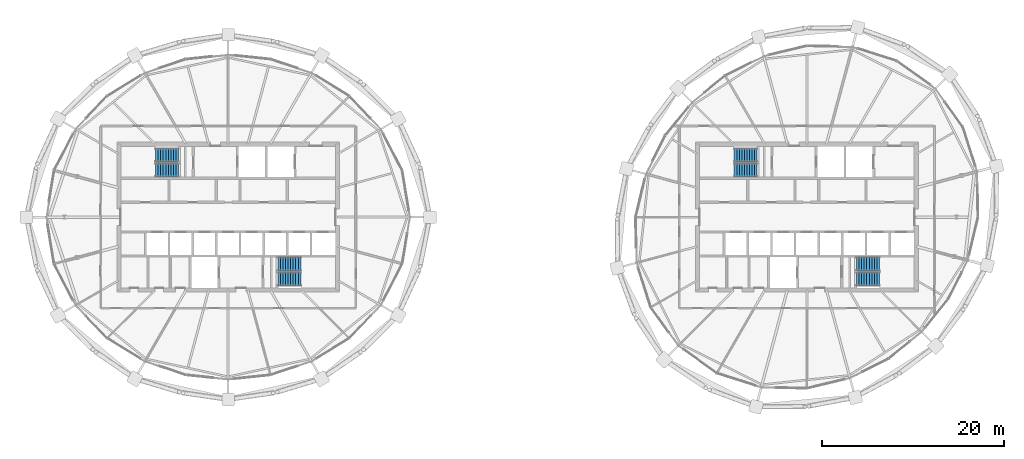
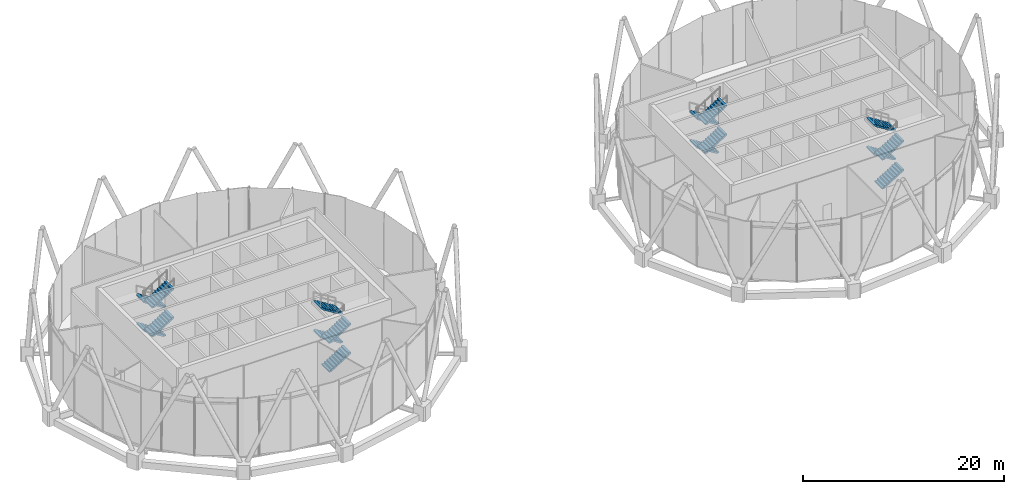
# One storey, part 23 of 28: 16 stair flights, 4 elements without a shape of their own.
"""IFC4 building model written with IfcOpenShell, lengths in metres."""

import ifcopenshell
import ifcopenshell.guid

model = None  # the IFC model being written
_history = None  # IfcOwnerHistory: only IFC2X3 demands one
_inside = {}  # id of a spatial element -> (the spatial element, [elements in it])
_under = {}  # id of a project, library or spatial element -> (it, [spatial elements below it])
_declared = {}  # id of a project -> (the project, [libraries it declares])
_typed = {}  # id of a type object -> (the type object, [elements of that type])
_made_of = {}  # id of a material, layer set ... -> (it, [elements and type objects made of it])


def new_model(schema):
    """Start an empty IFC model of exactly this schema.

    Asked for "IFC4X3", IfcOpenShell would pick the latest addendum, in which some entities
    have other attributes; the version numbers below select the first issue.
    IFC2X3 requires an IfcOwnerHistory on every rooted entity: one is made here for all.
    """
    global model, _history
    if schema == "IFC4X3":
        model = ifcopenshell.file(schema_version=(4, 3, 0, 0))
    else:
        model = ifcopenshell.file(schema=schema)
    _inside.clear()
    _under.clear()
    _declared.clear()
    _typed.clear()
    _made_of.clear()
    _history = None
    if model.schema == "IFC2X3":
        org = make("IfcOrganization", Name="unknown")
        user = make(
            "IfcPersonAndOrganization",
            ThePerson=make("IfcPerson", FamilyName="unknown"),
            TheOrganization=org,
        )
        app = make(
            "IfcApplication",
            ApplicationDeveloper=org,
            Version="unknown",
            ApplicationFullName="unknown",
            ApplicationIdentifier="unknown",
        )
        _history = make(
            "IfcOwnerHistory",
            OwningUser=user,
            OwningApplication=app,
            ChangeAction="ADDED",
            CreationDate=0,
        )
    return model


def make(cls, **values):
    """One entity of the class cls with the attributes given. An attribute that is None is left unset."""
    return model.create_entity(
        cls, **{name: value for name, value in values.items() if value is not None}
    )


def rooted(cls, **values):
    """An entity with a GlobalId (a new one), such as an element, a storey or a relation."""
    return make(cls, GlobalId=ifcopenshell.guid.new(), OwnerHistory=_history, **values)


def si_unit(unit_type, name, prefix=None):
    """IfcSIUnit, for example si_unit("LENGTHUNIT", "METRE", prefix="MILLI")."""
    return make("IfcSIUnit", UnitType=unit_type, Prefix=prefix, Name=name)


def assignment(units):
    """IfcUnitAssignment: the units of a project."""
    return None if units is None else make("IfcUnitAssignment", Units=units)


def point(xyz):
    """IfcCartesianPoint."""
    return None if xyz is None else make("IfcCartesianPoint", Coordinates=xyz)


def direction(xyz):
    """IfcDirection."""
    return None if xyz is None else make("IfcDirection", DirectionRatios=xyz)


def frame(location, z_axis=None, x_axis=None):
    """IfcAxis2Placement3D, a coordinate frame: its origin and axes. An axis left out is left unset."""
    return make(
        "IfcAxis2Placement3D",
        Location=point(location),
        Axis=direction(z_axis),
        RefDirection=direction(x_axis),
    )


def origin():
    """The frame at (0, 0, 0) with its axes left unset."""
    return frame((0.0, 0.0, 0.0))


def place(relative_to, where):
    """IfcLocalPlacement: puts the frame where relative to a parent placement (None: the world)."""
    return make(
        "IfcLocalPlacement", PlacementRelTo=relative_to, RelativePlacement=where
    )


def context(
    kind, dimensions, precision=None, world=None, true_north=None, identifier=None
):
    """IfcGeometricRepresentationContext, for example the 3D "Model" context."""
    return make(
        "IfcGeometricRepresentationContext",
        ContextIdentifier=identifier,
        ContextType=kind,
        CoordinateSpaceDimension=dimensions,
        Precision=precision,
        WorldCoordinateSystem=world,
        TrueNorth=true_north,
    )


def subcontext(parent, identifier, kind, view, scale=None):
    """IfcGeometricRepresentationSubContext, for example "Body" below "Model"."""
    return make(
        "IfcGeometricRepresentationSubContext",
        ContextIdentifier=identifier,
        ContextType=kind,
        ParentContext=parent,
        TargetScale=scale,
        TargetView=view,
    )


def project(units=None, contexts=None):
    """IfcProject with its units and contexts."""
    return rooted(
        "IfcProject",
        Name="project",
        RepresentationContexts=contexts,
        UnitsInContext=assignment(units),
    )


def spatial(cls, under=None, at=None, **own):
    """A site, building, storey or space (cls), placed at a placement, below another one or the project."""
    s = rooted(cls, ObjectPlacement=at, **own)
    if under is not None:
        _under.setdefault(under.id(), (under, []))[1].append(s)
    return s


def polyline(points):
    """IfcPolyline through the points."""
    return make("IfcPolyline", Points=[point(p) for p in points])


def outline(outer, holes=None, kind="AREA"):
    """IfcArbitraryClosedProfileDef: a profile drawn as a closed curve; with holes, ...WithVoids."""
    if holes is None:
        return make("IfcArbitraryClosedProfileDef", ProfileType=kind, OuterCurve=outer)
    return make(
        "IfcArbitraryProfileDefWithVoids",
        ProfileType=kind,
        OuterCurve=outer,
        InnerCurves=holes,
    )


def extrude(swept, where, along, depth):
    """IfcExtrudedAreaSolid: the profile swept, set in the frame where, extruded along a direction by depth."""
    return make(
        "IfcExtrudedAreaSolid",
        SweptArea=swept,
        Position=where,
        ExtrudedDirection=direction(along),
        Depth=depth,
    )


def shape(context_of_items, identifier, shape_type, items):
    """IfcShapeRepresentation: the items that make up one representation, for example the "Body"."""
    return make(
        "IfcShapeRepresentation",
        ContextOfItems=context_of_items,
        RepresentationIdentifier=identifier,
        RepresentationType=shape_type,
        Items=items,
    )


def material(Name=None, Category=None):
    """IfcMaterial."""
    return make("IfcMaterial", Name=Name, Category=Category)


def made_of(thing, what):
    """Note that an element or type object is made of a material, layer set ...; save() writes the relation."""
    if what is not None:
        _made_of.setdefault(what.id(), (what, []))[1].append(thing)
    return thing


def type_object(cls, material=None, **own):
    """A type object (cls), such as IfcWallType, which elements share."""
    return made_of(rooted(cls, **own), material)


def element(
    cls,
    number,
    at=None,
    inside=None,
    cuts=None,
    type_object=None,
    material=None,
    context=None,
    identifier="Body",
    shape_type=None,
    held_by="IfcProductDefinitionShape",
    body=None,
    shapes=None,
    **own,
):
    """One element of the class cls, such as IfcWall. Its Tag is "e" and its number.

    at: its placement. inside: the storey or other place that contains it. cuts: it is an
    opening in that element (IfcRelVoidsElement). A single representation is given by context,
    identifier, shape_type and body (its items); several are given by shapes. held_by: the class
    of the entity that holds the representations. save() writes the other relations.
    """
    e = rooted(cls, Tag="e%d" % number, ObjectPlacement=at, **own)
    if body is not None:
        shapes = [shape(context, identifier, shape_type, body)]
    if shapes is not None:
        e.Representation = make(held_by, Representations=shapes)
    if inside is not None:
        _inside.setdefault(inside.id(), (inside, []))[1].append(e)
    if cuts is not None:
        rooted(
            "IfcRelVoidsElement", RelatingBuildingElement=cuts, RelatedOpeningElement=e
        )
    if type_object is not None:
        _typed.setdefault(type_object.id(), (type_object, []))[1].append(e)
    return made_of(e, material)


def aggregate(whole, parts):
    """IfcRelAggregates: a whole, such as a stair, and the parts it consists of."""
    return rooted("IfcRelAggregates", RelatingObject=whole, RelatedObjects=parts)


def save(model, path):
    """Write the relations noted so far, then the file.

    IfcRelAggregates (storeys below a building ...), IfcRelContainedInSpatialStructure (elements
    in a storey), IfcRelDefinesByType, IfcRelAssociatesMaterial and IfcRelDeclares: one each for
    every whole, place, type object, material and project.
    """
    for whole, parts in _under.values():
        aggregate(whole, parts)
    for where, things in _inside.values():
        rooted(
            "IfcRelContainedInSpatialStructure",
            RelatedElements=things,
            RelatingStructure=where,
        )
    for kind, things in _typed.values():
        rooted("IfcRelDefinesByType", RelatedObjects=things, RelatingType=kind)
    for what, things in _made_of.values():
        rooted("IfcRelAssociatesMaterial", RelatedObjects=things, RelatingMaterial=what)
    for by, libraries in _declared.values():
        rooted("IfcRelDeclares", RelatingContext=by, RelatedDefinitions=libraries)
    model.write(path)


model = new_model("IFC4")

# Units and contexts
model_context = context("Model", 3, precision=1e-05, world=origin(), true_north=direction((0.0, 1.0)))
body_context = subcontext(model_context, "Body", "Model", "MODEL_VIEW")
ifc_project = project(units=[si_unit("LENGTHUNIT", "METRE"), si_unit("AREAUNIT", "SQUARE_METRE"), si_unit("VOLUMEUNIT", "CUBIC_METRE"), si_unit("PLANEANGLEUNIT", "RADIAN"), si_unit("MASSUNIT", "GRAM", prefix="KILO")], contexts=[model_context])

# Site, building, storey
site_placement = place(None, origin())
site = spatial("IfcSite", under=ifc_project, at=site_placement, CompositionType="ELEMENT")
building_placement = place(site_placement, origin())
building = spatial("IfcBuilding", under=site, at=building_placement, Name="Rimbun Link Towers", CompositionType="ELEMENT")
storey_placement = place(building_placement, frame((0.0, 0.0, 256.10009765625)))
storey = spatial("IfcBuildingStorey", under=building, at=storey_placement, Name="L63", CompositionType="ELEMENT", Elevation=256.10009765625)

# Stair, stair flights
ifc_material_1 = material(Name="Concrete C40/50", Category="concrete")
stair_type = type_object("IfcStairType", Name="Exit stair 7000 rise", PredefinedType="HALF_TURN_STAIR", material=ifc_material_1)
stair_1_placement = place(storey_placement, origin())
stair_1 = element("IfcStair", 1, at=stair_1_placement, inside=storey, type_object=stair_type, Name="L63 EXIT STAIR A", PredefinedType="HALF_TURN_STAIR")
ifc_material_2 = material(Name="Concrete C40/50", Category="concrete")
stair_flight_type = type_object("IfcStairFlightType", Name="Exit stair flight 7000 rise", PredefinedType="STRAIGHT", material=ifc_material_2)
stair_flight_1_placement = place(storey_placement, frame((-37.199951171875, 6.800048828125, 0.0), z_axis=(0.0, 0.0, 1.0), x_axis=(-1.0, 0.0, 0.0)))
stair_flight_1 = element("IfcStairFlight", 2, at=stair_flight_1_placement, type_object=stair_flight_type, Name="ST1 flight 1", NumberOfRisers=10, NumberOfTreads=9, PredefinedType="STRAIGHT", RiserHeight=0.175, TreadLength=0.28, context=body_context, shape_type="SweptSolid", body=[
    extrude(outline(polyline([(0.0, 0.0), (0.0, 0.175048828125), (0.280029296875, 0.175048828125), (0.280029296875, 0.35009765625), (0.56005859375, 0.35009765625), (0.56005859375, 0.52490234375), (0.840087890625, 0.52490234375), (0.840087890625, 0.699951171875), (1.1201171875, 0.699951171875), (1.1201171875, 0.875), (1.39990234375, 0.875), (1.39990234375, 1.050048828125), (1.679931640625, 1.050048828125), (1.679931640625, 1.22509765625), (1.9599609375, 1.22509765625), (1.9599609375, 1.39990234375), (2.239990234375, 1.39990234375), (2.239990234375, 1.574951171875), (2.52001953125, 1.574951171875), (2.52001953125, 1.75), (2.52001953125, 1.398193359375), (0.280029296875, 0.0), (0.0, 0.0)])), frame((0.0, 0.75, 0.0), z_axis=(0.0, -1.0, 0.0), x_axis=(1.0, 0.0, 0.0)), (0.0, 0.0, 1.0), 1.5),
])
stair_flight_2_placement = place(storey_placement, frame((-39.719970703125, 5.14990234375, 1.75), z_axis=(0.0, 0.0, 1.0), x_axis=(1.0, 0.0, 0.0)))
stair_flight_2 = element("IfcStairFlight", 3, at=stair_flight_2_placement, type_object=stair_flight_type, Name="ST1 flight 2", NumberOfRisers=10, NumberOfTreads=9, PredefinedType="STRAIGHT", RiserHeight=0.175, TreadLength=0.28, context=body_context, shape_type="SweptSolid", body=[
    extrude(outline(polyline([(0.0, 0.0), (0.0, 0.175048828125), (0.280029296875, 0.175048828125), (0.280029296875, 0.35009765625), (0.56005859375, 0.35009765625), (0.56005859375, 0.52490234375), (0.840087890625, 0.52490234375), (0.840087890625, 0.699951171875), (1.1201171875, 0.699951171875), (1.1201171875, 0.875), (1.39990234375, 0.875), (1.39990234375, 1.050048828125), (1.679931640625, 1.050048828125), (1.679931640625, 1.22509765625), (1.9599609375, 1.22509765625), (1.9599609375, 1.39990234375), (2.239990234375, 1.39990234375), (2.239990234375, 1.574951171875), (2.52001953125, 1.574951171875), (2.52001953125, 1.75), (2.52001953125, 1.398193359375), (0.280029296875, 0.0), (0.0, 0.0)])), frame((0.0, 0.75, 0.0), z_axis=(0.0, -1.0, 0.0), x_axis=(1.0, 0.0, 0.0)), (0.0, 0.0, 1.0), 1.5),
])
stair_flight_3_placement = place(storey_placement, frame((-37.199951171875, 6.800048828125, 3.5), z_axis=(0.0, 0.0, 1.0), x_axis=(-1.0, 0.0, 0.0)))
stair_flight_3 = element("IfcStairFlight", 4, at=stair_flight_3_placement, type_object=stair_flight_type, Name="ST1 flight 3", NumberOfRisers=10, NumberOfTreads=9, PredefinedType="STRAIGHT", RiserHeight=0.175, TreadLength=0.28, context=body_context, shape_type="SweptSolid", body=[
    extrude(outline(polyline([(0.0, 0.0), (0.0, 0.175048828125), (0.280029296875, 0.175048828125), (0.280029296875, 0.35009765625), (0.56005859375, 0.35009765625), (0.56005859375, 0.52490234375), (0.840087890625, 0.52490234375), (0.840087890625, 0.699951171875), (1.1201171875, 0.699951171875), (1.1201171875, 0.875), (1.39990234375, 0.875), (1.39990234375, 1.050048828125), (1.679931640625, 1.050048828125), (1.679931640625, 1.22509765625), (1.9599609375, 1.22509765625), (1.9599609375, 1.39990234375), (2.239990234375, 1.39990234375), (2.239990234375, 1.574951171875), (2.52001953125, 1.574951171875), (2.52001953125, 1.75), (2.52001953125, 1.398193359375), (0.280029296875, 0.0), (0.0, 0.0)])), frame((0.0, 0.75, 0.0), z_axis=(0.0, -1.0, 0.0), x_axis=(1.0, 0.0, 0.0)), (0.0, 0.0, 1.0), 1.5),
])
stair_flight_4_placement = place(storey_placement, frame((-39.719970703125, 5.14990234375, 5.25), z_axis=(0.0, 0.0, 1.0), x_axis=(1.0, 0.0, 0.0)))
stair_flight_4 = element("IfcStairFlight", 5, at=stair_flight_4_placement, type_object=stair_flight_type, Name="ST1 flight 4", NumberOfRisers=10, NumberOfTreads=9, PredefinedType="STRAIGHT", RiserHeight=0.175, TreadLength=0.28, context=body_context, shape_type="SweptSolid", body=[
    extrude(outline(polyline([(0.0, 0.0), (0.0, 0.175048828125), (0.280029296875, 0.175048828125), (0.280029296875, 0.35009765625), (0.56005859375, 0.35009765625), (0.56005859375, 0.52490234375), (0.840087890625, 0.52490234375), (0.840087890625, 0.699951171875), (1.1201171875, 0.699951171875), (1.1201171875, 0.875), (1.39990234375, 0.875), (1.39990234375, 1.050048828125), (1.679931640625, 1.050048828125), (1.679931640625, 1.22509765625), (1.9599609375, 1.22509765625), (1.9599609375, 1.39990234375), (2.239990234375, 1.39990234375), (2.239990234375, 1.574951171875), (2.52001953125, 1.574951171875), (2.52001953125, 1.75), (2.52001953125, 1.398193359375), (0.280029296875, 0.0), (0.0, 0.0)])), frame((0.0, 0.75, 0.0), z_axis=(0.0, -1.0, 0.0), x_axis=(1.0, 0.0, 0.0)), (0.0, 0.0, 1.0), 1.5),
])
aggregate(stair_1, [stair_flight_1, stair_flight_2, stair_flight_3, stair_flight_4])

stair_2_placement = place(storey_placement, origin())
stair_2 = element("IfcStair", 6, at=stair_2_placement, inside=storey, type_object=stair_type, Name="L63 EXIT STAIR B", PredefinedType="HALF_TURN_STAIR")
stair_flight_5_placement = place(storey_placement, frame((-26.300048828125, -6.800048828125, 0.0), z_axis=(0.0, 0.0, 1.0), x_axis=(1.0, 0.0, 0.0)))
stair_flight_5 = element("IfcStairFlight", 7, at=stair_flight_5_placement, type_object=stair_flight_type, Name="ST2 flight 1", NumberOfRisers=10, NumberOfTreads=9, PredefinedType="STRAIGHT", RiserHeight=0.175, TreadLength=0.28, context=body_context, shape_type="SweptSolid", body=[
    extrude(outline(polyline([(0.0, 0.0), (0.0, 0.175048828125), (0.280029296875, 0.175048828125), (0.280029296875, 0.35009765625), (0.56005859375, 0.35009765625), (0.56005859375, 0.52490234375), (0.840087890625, 0.52490234375), (0.840087890625, 0.699951171875), (1.1201171875, 0.699951171875), (1.1201171875, 0.875), (1.39990234375, 0.875), (1.39990234375, 1.050048828125), (1.679931640625, 1.050048828125), (1.679931640625, 1.22509765625), (1.9599609375, 1.22509765625), (1.9599609375, 1.39990234375), (2.239990234375, 1.39990234375), (2.239990234375, 1.574951171875), (2.52001953125, 1.574951171875), (2.52001953125, 1.75), (2.52001953125, 1.398193359375), (0.280029296875, 0.0), (0.0, 0.0)])), frame((0.0, 0.75, 0.0), z_axis=(0.0, -1.0, 0.0), x_axis=(1.0, 0.0, 0.0)), (0.0, 0.0, 1.0), 1.5),
])
stair_flight_6_placement = place(storey_placement, frame((-23.780029296875, -5.14990234375, 1.75), z_axis=(0.0, 0.0, 1.0), x_axis=(-1.0, 0.0, 0.0)))
stair_flight_6 = element("IfcStairFlight", 8, at=stair_flight_6_placement, type_object=stair_flight_type, Name="ST2 flight 2", NumberOfRisers=10, NumberOfTreads=9, PredefinedType="STRAIGHT", RiserHeight=0.175, TreadLength=0.28, context=body_context, shape_type="SweptSolid", body=[
    extrude(outline(polyline([(0.0, 0.0), (0.0, 0.175048828125), (0.280029296875, 0.175048828125), (0.280029296875, 0.35009765625), (0.56005859375, 0.35009765625), (0.56005859375, 0.52490234375), (0.840087890625, 0.52490234375), (0.840087890625, 0.699951171875), (1.1201171875, 0.699951171875), (1.1201171875, 0.875), (1.39990234375, 0.875), (1.39990234375, 1.050048828125), (1.679931640625, 1.050048828125), (1.679931640625, 1.22509765625), (1.9599609375, 1.22509765625), (1.9599609375, 1.39990234375), (2.239990234375, 1.39990234375), (2.239990234375, 1.574951171875), (2.52001953125, 1.574951171875), (2.52001953125, 1.75), (2.52001953125, 1.398193359375), (0.280029296875, 0.0), (0.0, 0.0)])), frame((0.0, 0.75, 0.0), z_axis=(0.0, -1.0, 0.0), x_axis=(1.0, 0.0, 0.0)), (0.0, 0.0, 1.0), 1.5),
])
stair_flight_7_placement = place(storey_placement, frame((-26.300048828125, -6.800048828125, 3.5), z_axis=(0.0, 0.0, 1.0), x_axis=(1.0, 0.0, 0.0)))
stair_flight_7 = element("IfcStairFlight", 9, at=stair_flight_7_placement, type_object=stair_flight_type, Name="ST2 flight 3", NumberOfRisers=10, NumberOfTreads=9, PredefinedType="STRAIGHT", RiserHeight=0.175, TreadLength=0.28, context=body_context, shape_type="SweptSolid", body=[
    extrude(outline(polyline([(0.0, 0.0), (0.0, 0.175048828125), (0.280029296875, 0.175048828125), (0.280029296875, 0.35009765625), (0.56005859375, 0.35009765625), (0.56005859375, 0.52490234375), (0.840087890625, 0.52490234375), (0.840087890625, 0.699951171875), (1.1201171875, 0.699951171875), (1.1201171875, 0.875), (1.39990234375, 0.875), (1.39990234375, 1.050048828125), (1.679931640625, 1.050048828125), (1.679931640625, 1.22509765625), (1.9599609375, 1.22509765625), (1.9599609375, 1.39990234375), (2.239990234375, 1.39990234375), (2.239990234375, 1.574951171875), (2.52001953125, 1.574951171875), (2.52001953125, 1.75), (2.52001953125, 1.398193359375), (0.280029296875, 0.0), (0.0, 0.0)])), frame((0.0, 0.75, 0.0), z_axis=(0.0, -1.0, 0.0), x_axis=(1.0, 0.0, 0.0)), (0.0, 0.0, 1.0), 1.5),
])
stair_flight_8_placement = place(storey_placement, frame((-23.780029296875, -5.14990234375, 5.25), z_axis=(0.0, 0.0, 1.0), x_axis=(-1.0, 0.0, 0.0)))
stair_flight_8 = element("IfcStairFlight", 10, at=stair_flight_8_placement, type_object=stair_flight_type, Name="ST2 flight 4", NumberOfRisers=10, NumberOfTreads=9, PredefinedType="STRAIGHT", RiserHeight=0.175, TreadLength=0.28, context=body_context, shape_type="SweptSolid", body=[
    extrude(outline(polyline([(0.0, 0.0), (0.0, 0.175048828125), (0.280029296875, 0.175048828125), (0.280029296875, 0.35009765625), (0.56005859375, 0.35009765625), (0.56005859375, 0.52490234375), (0.840087890625, 0.52490234375), (0.840087890625, 0.699951171875), (1.1201171875, 0.699951171875), (1.1201171875, 0.875), (1.39990234375, 0.875), (1.39990234375, 1.050048828125), (1.679931640625, 1.050048828125), (1.679931640625, 1.22509765625), (1.9599609375, 1.22509765625), (1.9599609375, 1.39990234375), (2.239990234375, 1.39990234375), (2.239990234375, 1.574951171875), (2.52001953125, 1.574951171875), (2.52001953125, 1.75), (2.52001953125, 1.398193359375), (0.280029296875, 0.0), (0.0, 0.0)])), frame((0.0, 0.75, 0.0), z_axis=(0.0, -1.0, 0.0), x_axis=(1.0, 0.0, 0.0)), (0.0, 0.0, 1.0), 1.5),
])
aggregate(stair_2, [stair_flight_5, stair_flight_6, stair_flight_7, stair_flight_8])

stair_3_placement = place(storey_placement, origin())
stair_3 = element("IfcStair", 11, at=stair_3_placement, inside=storey, type_object=stair_type, Name="L63 EXIT STAIR A", PredefinedType="HALF_TURN_STAIR")
stair_flight_9_placement = place(storey_placement, frame((26.300048828125, 6.800048828125, 0.0), z_axis=(0.0, 0.0, 1.0), x_axis=(-1.0, 0.0, 0.0)))
stair_flight_9 = element("IfcStairFlight", 12, at=stair_flight_9_placement, type_object=stair_flight_type, Name="ST3 flight 1", NumberOfRisers=10, NumberOfTreads=9, PredefinedType="STRAIGHT", RiserHeight=0.175, TreadLength=0.28, context=body_context, shape_type="SweptSolid", body=[
    extrude(outline(polyline([(0.0, 0.0), (0.0, 0.175048828125), (0.280029296875, 0.175048828125), (0.280029296875, 0.35009765625), (0.56005859375, 0.35009765625), (0.56005859375, 0.52490234375), (0.840087890625, 0.52490234375), (0.840087890625, 0.699951171875), (1.1201171875, 0.699951171875), (1.1201171875, 0.875), (1.39990234375, 0.875), (1.39990234375, 1.050048828125), (1.679931640625, 1.050048828125), (1.679931640625, 1.22509765625), (1.9599609375, 1.22509765625), (1.9599609375, 1.39990234375), (2.239990234375, 1.39990234375), (2.239990234375, 1.574951171875), (2.52001953125, 1.574951171875), (2.52001953125, 1.75), (2.52001953125, 1.398193359375), (0.280029296875, 0.0), (0.0, 0.0)])), frame((0.0, 0.75, 0.0), z_axis=(0.0, -1.0, 0.0), x_axis=(1.0, 0.0, 0.0)), (0.0, 0.0, 1.0), 1.5),
])
stair_flight_10_placement = place(storey_placement, frame((23.780029296875, 5.14990234375, 1.75), z_axis=(0.0, 0.0, 1.0), x_axis=(1.0, 0.0, 0.0)))
stair_flight_10 = element("IfcStairFlight", 13, at=stair_flight_10_placement, type_object=stair_flight_type, Name="ST3 flight 2", NumberOfRisers=10, NumberOfTreads=9, PredefinedType="STRAIGHT", RiserHeight=0.175, TreadLength=0.28, context=body_context, shape_type="SweptSolid", body=[
    extrude(outline(polyline([(0.0, 0.0), (0.0, 0.175048828125), (0.280029296875, 0.175048828125), (0.280029296875, 0.35009765625), (0.56005859375, 0.35009765625), (0.56005859375, 0.52490234375), (0.840087890625, 0.52490234375), (0.840087890625, 0.699951171875), (1.1201171875, 0.699951171875), (1.1201171875, 0.875), (1.39990234375, 0.875), (1.39990234375, 1.050048828125), (1.679931640625, 1.050048828125), (1.679931640625, 1.22509765625), (1.9599609375, 1.22509765625), (1.9599609375, 1.39990234375), (2.239990234375, 1.39990234375), (2.239990234375, 1.574951171875), (2.52001953125, 1.574951171875), (2.52001953125, 1.75), (2.52001953125, 1.398193359375), (0.280029296875, 0.0), (0.0, 0.0)])), frame((0.0, 0.75, 0.0), z_axis=(0.0, -1.0, 0.0), x_axis=(1.0, 0.0, 0.0)), (0.0, 0.0, 1.0), 1.5),
])
stair_flight_11_placement = place(storey_placement, frame((26.300048828125, 6.800048828125, 3.5), z_axis=(0.0, 0.0, 1.0), x_axis=(-1.0, 0.0, 0.0)))
stair_flight_11 = element("IfcStairFlight", 14, at=stair_flight_11_placement, type_object=stair_flight_type, Name="ST3 flight 3", NumberOfRisers=10, NumberOfTreads=9, PredefinedType="STRAIGHT", RiserHeight=0.175, TreadLength=0.28, context=body_context, shape_type="SweptSolid", body=[
    extrude(outline(polyline([(0.0, 0.0), (0.0, 0.175048828125), (0.280029296875, 0.175048828125), (0.280029296875, 0.35009765625), (0.56005859375, 0.35009765625), (0.56005859375, 0.52490234375), (0.840087890625, 0.52490234375), (0.840087890625, 0.699951171875), (1.1201171875, 0.699951171875), (1.1201171875, 0.875), (1.39990234375, 0.875), (1.39990234375, 1.050048828125), (1.679931640625, 1.050048828125), (1.679931640625, 1.22509765625), (1.9599609375, 1.22509765625), (1.9599609375, 1.39990234375), (2.239990234375, 1.39990234375), (2.239990234375, 1.574951171875), (2.52001953125, 1.574951171875), (2.52001953125, 1.75), (2.52001953125, 1.398193359375), (0.280029296875, 0.0), (0.0, 0.0)])), frame((0.0, 0.75, 0.0), z_axis=(0.0, -1.0, 0.0), x_axis=(1.0, 0.0, 0.0)), (0.0, 0.0, 1.0), 1.5),
])
stair_flight_12_placement = place(storey_placement, frame((23.780029296875, 5.14990234375, 5.25), z_axis=(0.0, 0.0, 1.0), x_axis=(1.0, 0.0, 0.0)))
stair_flight_12 = element("IfcStairFlight", 15, at=stair_flight_12_placement, type_object=stair_flight_type, Name="ST3 flight 4", NumberOfRisers=10, NumberOfTreads=9, PredefinedType="STRAIGHT", RiserHeight=0.175, TreadLength=0.28, context=body_context, shape_type="SweptSolid", body=[
    extrude(outline(polyline([(0.0, 0.0), (0.0, 0.175048828125), (0.280029296875, 0.175048828125), (0.280029296875, 0.35009765625), (0.56005859375, 0.35009765625), (0.56005859375, 0.52490234375), (0.840087890625, 0.52490234375), (0.840087890625, 0.699951171875), (1.1201171875, 0.699951171875), (1.1201171875, 0.875), (1.39990234375, 0.875), (1.39990234375, 1.050048828125), (1.679931640625, 1.050048828125), (1.679931640625, 1.22509765625), (1.9599609375, 1.22509765625), (1.9599609375, 1.39990234375), (2.239990234375, 1.39990234375), (2.239990234375, 1.574951171875), (2.52001953125, 1.574951171875), (2.52001953125, 1.75), (2.52001953125, 1.398193359375), (0.280029296875, 0.0), (0.0, 0.0)])), frame((0.0, 0.75, 0.0), z_axis=(0.0, -1.0, 0.0), x_axis=(1.0, 0.0, 0.0)), (0.0, 0.0, 1.0), 1.5),
])
aggregate(stair_3, [stair_flight_9, stair_flight_10, stair_flight_11, stair_flight_12])

stair_4_placement = place(storey_placement, origin())
stair_4 = element("IfcStair", 16, at=stair_4_placement, inside=storey, type_object=stair_type, Name="L63 EXIT STAIR B", PredefinedType="HALF_TURN_STAIR")
stair_flight_13_placement = place(storey_placement, frame((37.199951171875, -6.800048828125, 0.0), z_axis=(0.0, 0.0, 1.0), x_axis=(1.0, 0.0, 0.0)))
stair_flight_13 = element("IfcStairFlight", 17, at=stair_flight_13_placement, type_object=stair_flight_type, Name="ST4 flight 1", NumberOfRisers=10, NumberOfTreads=9, PredefinedType="STRAIGHT", RiserHeight=0.175, TreadLength=0.28, context=body_context, shape_type="SweptSolid", body=[
    extrude(outline(polyline([(0.0, 0.0), (0.0, 0.175048828125), (0.280029296875, 0.175048828125), (0.280029296875, 0.35009765625), (0.56005859375, 0.35009765625), (0.56005859375, 0.52490234375), (0.840087890625, 0.52490234375), (0.840087890625, 0.699951171875), (1.1201171875, 0.699951171875), (1.1201171875, 0.875), (1.39990234375, 0.875), (1.39990234375, 1.050048828125), (1.679931640625, 1.050048828125), (1.679931640625, 1.22509765625), (1.9599609375, 1.22509765625), (1.9599609375, 1.39990234375), (2.239990234375, 1.39990234375), (2.239990234375, 1.574951171875), (2.52001953125, 1.574951171875), (2.52001953125, 1.75), (2.52001953125, 1.398193359375), (0.280029296875, 0.0), (0.0, 0.0)])), frame((0.0, 0.75, 0.0), z_axis=(0.0, -1.0, 0.0), x_axis=(1.0, 0.0, 0.0)), (0.0, 0.0, 1.0), 1.5),
])
stair_flight_14_placement = place(storey_placement, frame((39.719970703125, -5.14990234375, 1.75), z_axis=(0.0, 0.0, 1.0), x_axis=(-1.0, 0.0, 0.0)))
stair_flight_14 = element("IfcStairFlight", 18, at=stair_flight_14_placement, type_object=stair_flight_type, Name="ST4 flight 2", NumberOfRisers=10, NumberOfTreads=9, PredefinedType="STRAIGHT", RiserHeight=0.175, TreadLength=0.28, context=body_context, shape_type="SweptSolid", body=[
    extrude(outline(polyline([(0.0, 0.0), (0.0, 0.175048828125), (0.280029296875, 0.175048828125), (0.280029296875, 0.35009765625), (0.56005859375, 0.35009765625), (0.56005859375, 0.52490234375), (0.840087890625, 0.52490234375), (0.840087890625, 0.699951171875), (1.1201171875, 0.699951171875), (1.1201171875, 0.875), (1.39990234375, 0.875), (1.39990234375, 1.050048828125), (1.679931640625, 1.050048828125), (1.679931640625, 1.22509765625), (1.9599609375, 1.22509765625), (1.9599609375, 1.39990234375), (2.239990234375, 1.39990234375), (2.239990234375, 1.574951171875), (2.52001953125, 1.574951171875), (2.52001953125, 1.75), (2.52001953125, 1.398193359375), (0.280029296875, 0.0), (0.0, 0.0)])), frame((0.0, 0.75, 0.0), z_axis=(0.0, -1.0, 0.0), x_axis=(1.0, 0.0, 0.0)), (0.0, 0.0, 1.0), 1.5),
])
stair_flight_15_placement = place(storey_placement, frame((37.199951171875, -6.800048828125, 3.5), z_axis=(0.0, 0.0, 1.0), x_axis=(1.0, 0.0, 0.0)))
stair_flight_15 = element("IfcStairFlight", 19, at=stair_flight_15_placement, type_object=stair_flight_type, Name="ST4 flight 3", NumberOfRisers=10, NumberOfTreads=9, PredefinedType="STRAIGHT", RiserHeight=0.175, TreadLength=0.28, context=body_context, shape_type="SweptSolid", body=[
    extrude(outline(polyline([(0.0, 0.0), (0.0, 0.175048828125), (0.280029296875, 0.175048828125), (0.280029296875, 0.35009765625), (0.56005859375, 0.35009765625), (0.56005859375, 0.52490234375), (0.840087890625, 0.52490234375), (0.840087890625, 0.699951171875), (1.1201171875, 0.699951171875), (1.1201171875, 0.875), (1.39990234375, 0.875), (1.39990234375, 1.050048828125), (1.679931640625, 1.050048828125), (1.679931640625, 1.22509765625), (1.9599609375, 1.22509765625), (1.9599609375, 1.39990234375), (2.239990234375, 1.39990234375), (2.239990234375, 1.574951171875), (2.52001953125, 1.574951171875), (2.52001953125, 1.75), (2.52001953125, 1.398193359375), (0.280029296875, 0.0), (0.0, 0.0)])), frame((0.0, 0.75, 0.0), z_axis=(0.0, -1.0, 0.0), x_axis=(1.0, 0.0, 0.0)), (0.0, 0.0, 1.0), 1.5),
])
stair_flight_16_placement = place(storey_placement, frame((39.719970703125, -5.14990234375, 5.25), z_axis=(0.0, 0.0, 1.0), x_axis=(-1.0, 0.0, 0.0)))
stair_flight_16 = element("IfcStairFlight", 20, at=stair_flight_16_placement, type_object=stair_flight_type, Name="ST4 flight 4", NumberOfRisers=10, NumberOfTreads=9, PredefinedType="STRAIGHT", RiserHeight=0.175, TreadLength=0.28, context=body_context, shape_type="SweptSolid", body=[
    extrude(outline(polyline([(0.0, 0.0), (0.0, 0.175048828125), (0.280029296875, 0.175048828125), (0.280029296875, 0.35009765625), (0.56005859375, 0.35009765625), (0.56005859375, 0.52490234375), (0.840087890625, 0.52490234375), (0.840087890625, 0.699951171875), (1.1201171875, 0.699951171875), (1.1201171875, 0.875), (1.39990234375, 0.875), (1.39990234375, 1.050048828125), (1.679931640625, 1.050048828125), (1.679931640625, 1.22509765625), (1.9599609375, 1.22509765625), (1.9599609375, 1.39990234375), (2.239990234375, 1.39990234375), (2.239990234375, 1.574951171875), (2.52001953125, 1.574951171875), (2.52001953125, 1.75), (2.52001953125, 1.398193359375), (0.280029296875, 0.0), (0.0, 0.0)])), frame((0.0, 0.75, 0.0), z_axis=(0.0, -1.0, 0.0), x_axis=(1.0, 0.0, 0.0)), (0.0, 0.0, 1.0), 1.5),
])
aggregate(stair_4, [stair_flight_13, stair_flight_14, stair_flight_15, stair_flight_16])

save(model, "model.ifc")
